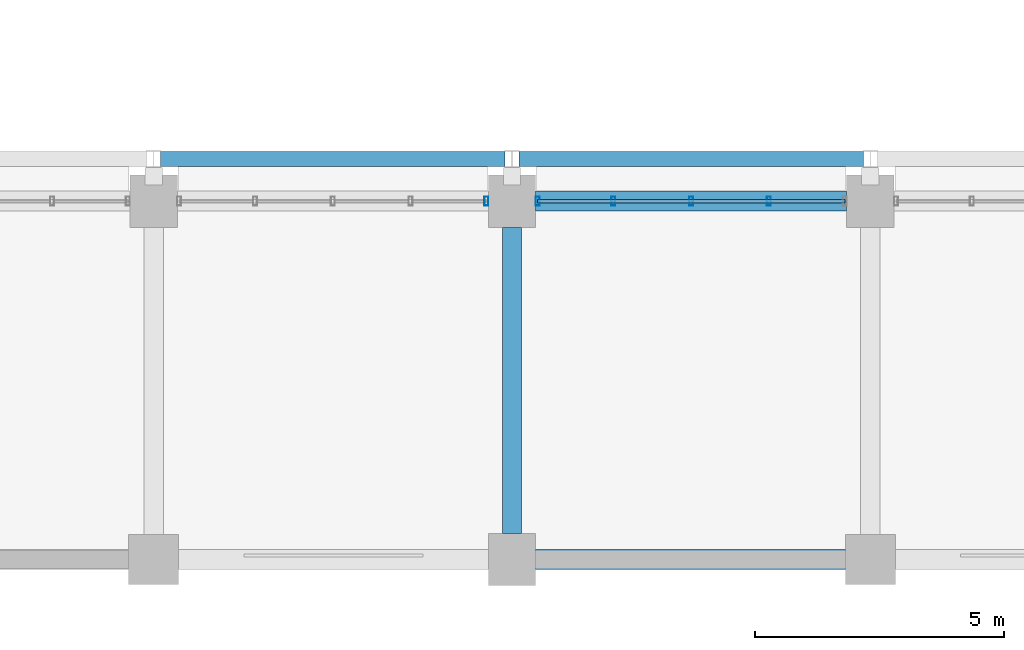
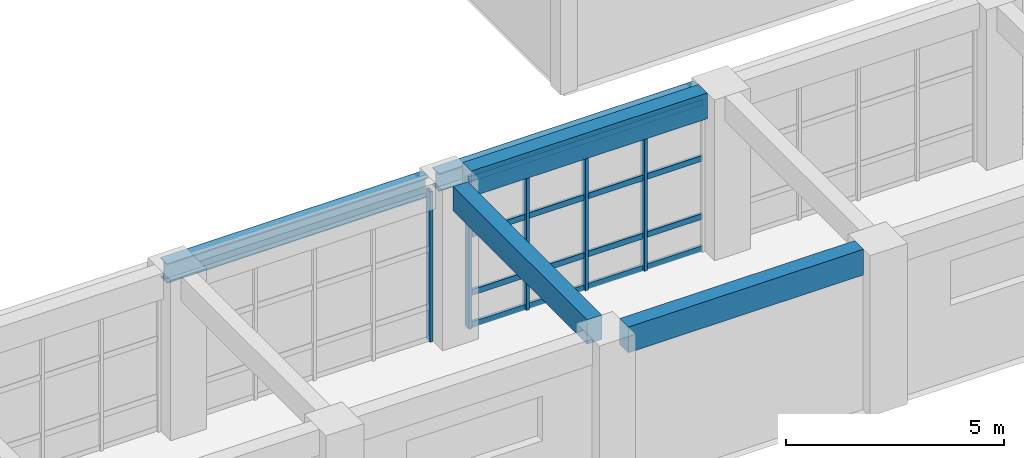
# One storey, part 88 of 171: 9 members, 5 beams, 2 elements without a shape of their own.
"""IFC4 building model written with IfcOpenShell, lengths in metres."""

from ifc_helpers import new_model, si_unit, direction, frame, origin, origin_2d, place, context, subcontext, project, spatial, rectangle, hollow_rectangle, i_section, extrude, material, material_profile, profile_set, type_object, element, aggregate, save


model = new_model("IFC4")

# Units and contexts
model_context = context("Model", 3, precision=1e-05, world=origin(), true_north=direction((0.0, 1.0)))
body_context = subcontext(model_context, "Body", "Model", "MODEL_VIEW")
ifc_project = project(units=[si_unit("LENGTHUNIT", "METRE"), si_unit("AREAUNIT", "SQUARE_METRE"), si_unit("VOLUMEUNIT", "CUBIC_METRE"), si_unit("PLANEANGLEUNIT", "RADIAN"), si_unit("MASSUNIT", "GRAM", prefix="KILO")], contexts=[model_context])

# Site, building, storey
site_placement = place(None, origin())
site = spatial("IfcSite", under=ifc_project, at=site_placement, CompositionType="ELEMENT")
building_placement = place(site_placement, origin())
building = spatial("IfcBuilding", under=site, at=building_placement, Name="Thalmaran Polytechnic", CompositionType="ELEMENT")
storey_placement = place(building_placement, frame((0.0, 0.0, 5.39990234375)))
storey = spatial("IfcBuildingStorey", under=building, at=storey_placement, Name="L01", CompositionType="ELEMENT", Elevation=5.39990234375)

# Beams
ifc_material_1 = material(Name="Steel S355", Category="steel")
ifc_material_profile_1 = material_profile(ifc_material_1, i_section(OverallWidth=0.300048828125, OverallDepth=0.550048828125, WebThickness=0.014892578125, FlangeThickness=0.029052734375, at=origin_2d()), Name="HEB 550")
ifc_profile_set_1 = profile_set([ifc_material_profile_1], Name="Steel S355")
beam_type_1 = type_object("IfcBeamType", Name="BM-CRN1", PredefinedType="BEAM", material=ifc_profile_set_1)
beam_1_placement = place(storey_placement, frame((129.739990234375, 8.050048828125, 3.72509765625), z_axis=(1.0, 0.0, 0.0), x_axis=(0.0, 1.0, 0.0)))
element("IfcBeam", 1, at=beam_1_placement, inside=storey, type_object=beam_type_1, Name="Workshop Crane Runway Beam Y1-18", PredefinedType="BEAM", context=body_context, shape_type="SweptSolid", body=[
    extrude(i_section(OverallWidth=0.300048828125, OverallDepth=0.550048828125, WebThickness=0.014892578125, FlangeThickness=0.029052734375, at=origin_2d()), origin(), (0.0, 0.0, 1.0), 6.919921875),
])
ifc_material_profile_2 = material_profile(ifc_material_1, i_section(OverallWidth=0.300048828125, OverallDepth=0.5, WebThickness=0.014404296875, FlangeThickness=0.028076171875, at=origin_2d()), Name="HEB 500")
ifc_profile_set_2 = profile_set([ifc_material_profile_2], Name="Steel S355")
beam_type_2 = type_object("IfcBeamType", Name="BM-CRN2", PredefinedType="BEAM", material=ifc_profile_set_2)
beam_2_placement = place(storey_placement, frame((136.93994140625, 8.050048828125, 3.75), z_axis=(1.0, 0.0, 0.0), x_axis=(0.0, 1.0, 0.0)))
element("IfcBeam", 2, at=beam_2_placement, inside=storey, type_object=beam_type_2, Name="Workshop Crane Runway Beam Y1-19", PredefinedType="BEAM", context=body_context, shape_type="SweptSolid", body=[
    extrude(i_section(OverallWidth=0.300048828125, OverallDepth=0.5, WebThickness=0.014404296875, FlangeThickness=0.028076171875, at=origin_2d()), origin(), (0.0, 0.0, 1.0), 6.920166015625),
])
ifc_material_2 = material(Name="Concrete C40/50", Category="concrete")
ifc_material_profile_3 = material_profile(ifc_material_2, rectangle(XDim=0.389892578125, YDim=0.68505859375, at=origin_2d()), Name="RC 390x685")
ifc_profile_set_3 = profile_set([ifc_material_profile_3], Name="Concrete C40/50")
beam_type_3 = type_object("IfcBeamType", Name="BM-RC08", PredefinedType="BEAM", material=ifc_profile_set_3)
beam_3_placement = place(storey_placement, frame((136.800048828125, 0.52490234375, 4.15771484375), z_axis=(0.0, 1.0, 0.0), x_axis=(-1.0, 0.0, 0.0)))
element("IfcBeam", 3, at=beam_3_placement, inside=storey, type_object=beam_type_3, Name="Grid Beam B08 L01 Y(19,0)", PredefinedType="BEAM", context=body_context, shape_type="SweptSolid", body=[
    extrude(rectangle(XDim=0.389892578125, YDim=0.68505859375, at=origin_2d()), origin(), (0.0, 0.0, 1.0), 6.150146484375),
])
ifc_material_profile_4 = material_profile(ifc_material_2, rectangle(XDim=0.39990234375, YDim=0.719970703125, at=origin_2d()), Name="RC 400x720")
ifc_profile_set_4 = profile_set([ifc_material_profile_4], Name="Concrete C40/50")
beam_type_4 = type_object("IfcBeamType", Name="BM-SP01", PredefinedType="SPANDREL", material=ifc_profile_set_4)
beam_4_placement = place(storey_placement, frame((137.27490234375, 0.0, 4.14013671875), z_axis=(1.0, 0.0, 0.0), x_axis=(0.0, 1.0, 0.0)))
element("IfcBeam", 4, at=beam_4_placement, inside=storey, type_object=beam_type_4, Name="Grid Beam SP01 L01 X(19,0)", PredefinedType="SPANDREL", context=body_context, shape_type="SweptSolid", body=[
    extrude(rectangle(XDim=0.39990234375, YDim=0.719970703125, at=origin_2d()), origin(), (0.0, 0.0, 1.0), 6.22509765625),
])
beam_5_placement = place(storey_placement, frame((137.27490234375, 7.199951171875, 4.14013671875), z_axis=(1.0, 0.0, 0.0), x_axis=(0.0, 1.0, 0.0)))
element("IfcBeam", 5, at=beam_5_placement, inside=storey, type_object=beam_type_4, Name="Grid Beam SP01 L01 X(19,1)", PredefinedType="SPANDREL", context=body_context, shape_type="SweptSolid", body=[
    extrude(rectangle(XDim=0.39990234375, YDim=0.719970703125, at=origin_2d()), origin(), (0.0, 0.0, 1.0), 6.25),
])

# Curtain wall, member
ifc_material_3 = material(Name="Aluminium 6063-T6", Category="aluminium")
curtain_wall_type = type_object("IfcCurtainWallType", Name="CW-UC02", PredefinedType="USERDEFINED", material=ifc_material_3)
curtain_wall_1_placement = place(storey_placement, origin())
curtain_wall_1 = element("IfcCurtainWall", 6, at=curtain_wall_1_placement, inside=storey, type_object=curtain_wall_type, Name="Curtain Wall CW-L01-113", ObjectType="UNITISED CURTAIN WALL", PredefinedType="USERDEFINED")
ifc_material_profile_5 = material_profile(ifc_material_3, hollow_rectangle(XDim=0.080078125, YDim=0.179931640625, WallThickness=0.0048828125, at=origin_2d()), Name="RHS 180x80x5.0")
ifc_profile_set_5 = profile_set([ifc_material_profile_5], Name="Aluminium 6063-T6")
member_type_1 = type_object("IfcMemberType", Name="CW-MUL1", PredefinedType="MULLION", material=ifc_profile_set_5)
member_1_placement = place(storey_placement, frame((136.284912109375, 7.199951171875, 0.0), z_axis=(0.0, 0.0, 1.0), x_axis=(1.0, 0.0, 0.0)))
member_1 = element("IfcMember", 7, at=member_1_placement, type_object=member_type_1, Name="CW-L01-113 Mullion 5", PredefinedType="MULLION", context=body_context, shape_type="SweptSolid", body=[
    extrude(hollow_rectangle(XDim=0.080078125, YDim=0.179931640625, WallThickness=0.0048828125, at=origin_2d()), origin(), (0.0, 0.0, 1.0), 4.210205078125),
])
aggregate(curtain_wall_1, [member_1])

# Curtain wall, members
curtain_wall_2_placement = place(storey_placement, origin())
curtain_wall_2 = element("IfcCurtainWall", 8, at=curtain_wall_2_placement, inside=storey, type_object=curtain_wall_type, Name="Curtain Wall CW-L01-114", ObjectType="UNITISED CURTAIN WALL", PredefinedType="USERDEFINED")
member_2_placement = place(storey_placement, frame((137.31494140625, 7.199951171875, 0.0), z_axis=(0.0, 0.0, 1.0), x_axis=(1.0, 0.0, 0.0)))
member_2 = element("IfcMember", 9, at=member_2_placement, type_object=member_type_1, Name="CW-L01-114 Mullion 1", PredefinedType="MULLION", context=body_context, shape_type="SweptSolid", body=[
    extrude(hollow_rectangle(XDim=0.080078125, YDim=0.179931640625, WallThickness=0.0048828125, at=origin_2d()), origin(), (0.0, 0.0, 1.0), 4.210205078125),
])
member_3_placement = place(storey_placement, frame((138.83740234375, 7.199951171875, 0.0), z_axis=(0.0, 0.0, 1.0), x_axis=(1.0, 0.0, 0.0)))
member_3 = element("IfcMember", 10, at=member_3_placement, type_object=member_type_1, Name="CW-L01-114 Mullion 2", PredefinedType="MULLION", context=body_context, shape_type="SweptSolid", body=[
    extrude(hollow_rectangle(XDim=0.080078125, YDim=0.179931640625, WallThickness=0.0048828125, at=origin_2d()), origin(), (0.0, 0.0, 1.0), 4.210205078125),
])
member_4_placement = place(storey_placement, frame((140.39990234375, 7.199951171875, 0.0), z_axis=(0.0, 0.0, 1.0), x_axis=(1.0, 0.0, 0.0)))
member_4 = element("IfcMember", 11, at=member_4_placement, type_object=member_type_1, Name="CW-L01-114 Mullion 3", PredefinedType="MULLION", context=body_context, shape_type="SweptSolid", body=[
    extrude(hollow_rectangle(XDim=0.080078125, YDim=0.179931640625, WallThickness=0.0048828125, at=origin_2d()), origin(), (0.0, 0.0, 1.0), 4.210205078125),
])
member_5_placement = place(storey_placement, frame((141.96240234375, 7.199951171875, 0.0), z_axis=(0.0, 0.0, 1.0), x_axis=(1.0, 0.0, 0.0)))
member_5 = element("IfcMember", 12, at=member_5_placement, type_object=member_type_1, Name="CW-L01-114 Mullion 4", PredefinedType="MULLION", context=body_context, shape_type="SweptSolid", body=[
    extrude(hollow_rectangle(XDim=0.080078125, YDim=0.179931640625, WallThickness=0.0048828125, at=origin_2d()), origin(), (0.0, 0.0, 1.0), 4.210205078125),
])
ifc_material_profile_6 = material_profile(ifc_material_3, hollow_rectangle(XDim=0.070068359375, YDim=0.159912109375, WallThickness=0.00390625, at=origin_2d()), Name="AL 160x70x4.0")
ifc_profile_set_6 = profile_set([ifc_material_profile_6], Name="Aluminium 6063-T6")
member_type_2 = type_object("IfcMemberType", Name="CW-TRN1", PredefinedType="USERDEFINED", material=ifc_profile_set_6)
member_6_placement = place(storey_placement, frame((137.31494140625, 7.199951171875, 0.06005859375), z_axis=(1.0, 0.0, 0.0), x_axis=(0.0, 1.0, 0.0)))
member_6 = element("IfcMember", 13, at=member_6_placement, type_object=member_type_2, Name="CW-L01-114 Transom 1", ObjectType="TRANSOM", PredefinedType="USERDEFINED", context=body_context, shape_type="SweptSolid", body=[
    extrude(hollow_rectangle(XDim=0.070068359375, YDim=0.159912109375, WallThickness=0.00390625, at=origin_2d()), origin(), (0.0, 0.0, 1.0), 6.170166015625),
])
member_7_placement = place(storey_placement, frame((137.31494140625, 7.199951171875, 0.960205078125), z_axis=(1.0, 0.0, 0.0), x_axis=(0.0, 1.0, 0.0)))
member_7 = element("IfcMember", 14, at=member_7_placement, type_object=member_type_2, Name="CW-L01-114 Transom 2", ObjectType="TRANSOM", PredefinedType="USERDEFINED", context=body_context, shape_type="SweptSolid", body=[
    extrude(hollow_rectangle(XDim=0.070068359375, YDim=0.159912109375, WallThickness=0.00390625, at=origin_2d()), origin(), (0.0, 0.0, 1.0), 6.170166015625),
])
member_8_placement = place(storey_placement, frame((137.31494140625, 7.199951171875, 2.585205078125), z_axis=(1.0, 0.0, 0.0), x_axis=(0.0, 1.0, 0.0)))
member_8 = element("IfcMember", 15, at=member_8_placement, type_object=member_type_2, Name="CW-L01-114 Transom 3", ObjectType="TRANSOM", PredefinedType="USERDEFINED", context=body_context, shape_type="SweptSolid", body=[
    extrude(hollow_rectangle(XDim=0.070068359375, YDim=0.159912109375, WallThickness=0.00390625, at=origin_2d()), origin(), (0.0, 0.0, 1.0), 6.170166015625),
])
member_9_placement = place(storey_placement, frame((137.31494140625, 7.199951171875, 4.150146484375), z_axis=(1.0, 0.0, 0.0), x_axis=(0.0, 1.0, 0.0)))
member_9 = element("IfcMember", 16, at=member_9_placement, type_object=member_type_2, Name="CW-L01-114 Transom 4", ObjectType="TRANSOM", PredefinedType="USERDEFINED", context=body_context, shape_type="SweptSolid", body=[
    extrude(hollow_rectangle(XDim=0.070068359375, YDim=0.159912109375, WallThickness=0.00390625, at=origin_2d()), origin(), (0.0, 0.0, 1.0), 6.170166015625),
])
aggregate(curtain_wall_2, [member_2, member_3, member_4, member_5, member_6, member_7, member_8, member_9])

save(model, "model.ifc")
